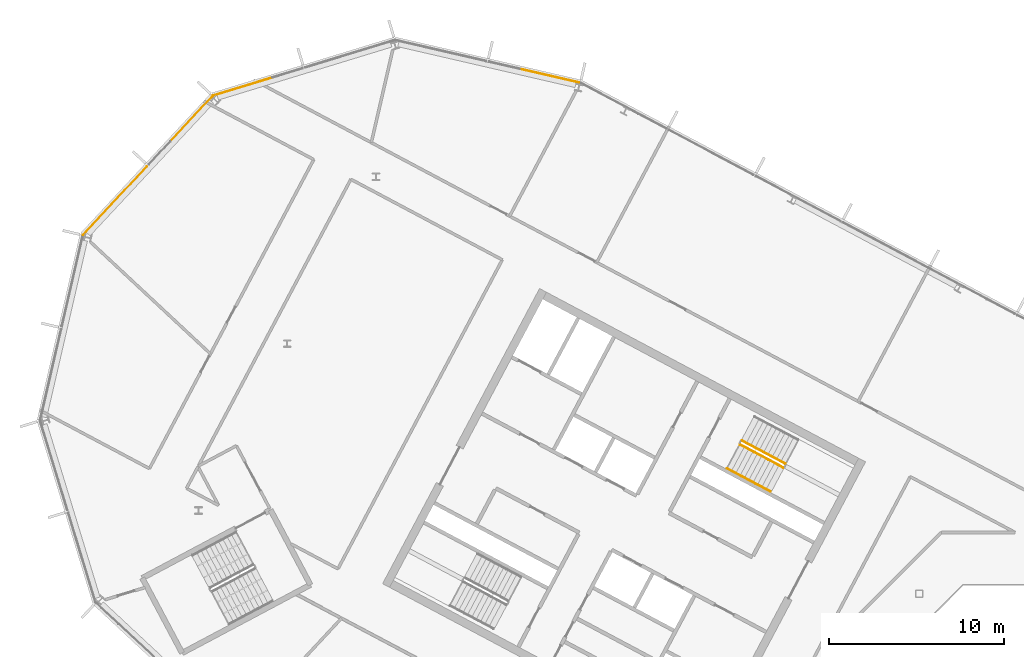
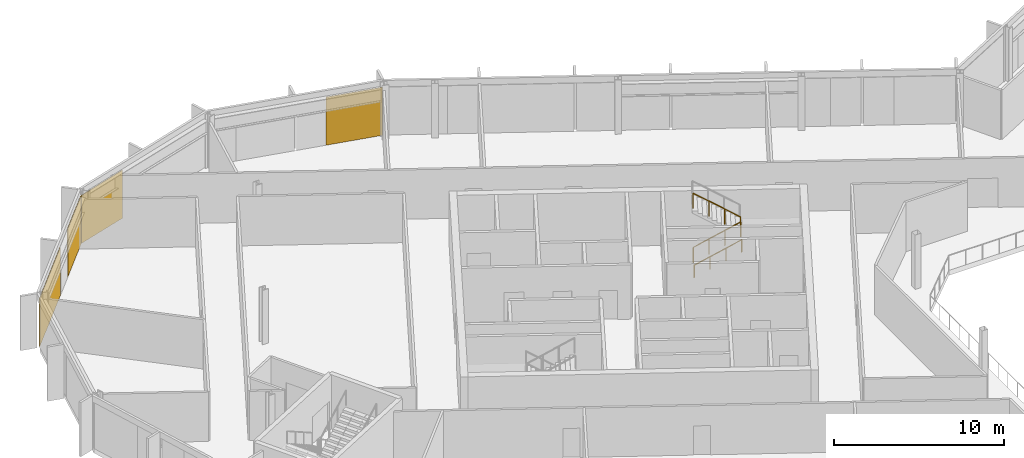
# One storey, part 22 of 26: 4 coverings, 3 railings, 3 elements without a shape of their own.
"""IFC4 building model written with IfcOpenShell, lengths in metres."""

from ifc_helpers import new_model, si_unit, direction, frame, origin, origin_2d, place, context, subcontext, project, spatial, polyline, rectangle, outline, extrude, material, layer, layer_set, type_object, element, aggregate, save


model = new_model("IFC4")

# Units and contexts
model_context = context("Model", 3, precision=1e-05, world=origin(), true_north=direction((0.0, 1.0)))
body_context = subcontext(model_context, "Body", "Model", "MODEL_VIEW")
ifc_project = project(units=[si_unit("LENGTHUNIT", "METRE"), si_unit("AREAUNIT", "SQUARE_METRE"), si_unit("VOLUMEUNIT", "CUBIC_METRE"), si_unit("PLANEANGLEUNIT", "RADIAN"), si_unit("MASSUNIT", "GRAM", prefix="KILO")], contexts=[model_context])

# Site, building, storey
site_placement = place(None, origin())
site = spatial("IfcSite", under=ifc_project, at=site_placement, CompositionType="ELEMENT")
building_placement = place(site_placement, origin())
building = spatial("IfcBuilding", under=site, at=building_placement, Name="Cormorant Relay Tower", CompositionType="ELEMENT")
storey_placement = place(building_placement, frame((0.0, 0.0, 269.699951171875)))
storey = spatial("IfcBuildingStorey", under=building, at=storey_placement, Name="L60", CompositionType="ELEMENT", Elevation=269.699951171875)

# Curtain wall, covering
ifc_material_1 = material(Name="Aluminium 6063-T6 anodised bronze", Category="aluminium")
ifc_layer_1 = layer(ifc_material_1, 0.199951171875)
ifc_layer_set_1 = layer_set([ifc_layer_1], Name="CW1 unitised bronze curtain wall with vertical fins")
curtain_wall_type = type_object("IfcCurtainWallType", Name="CW1 unitised bronze curtain wall with vertical fins", PredefinedType="NOTDEFINED", material=ifc_layer_set_1)
curtain_wall_1_placement = place(storey_placement, origin())
curtain_wall_1 = element("IfcCurtainWall", 1, at=curtain_wall_1_placement, inside=storey, type_object=curtain_wall_type, Name="CW1 curtain wall 10", PredefinedType="NOTDEFINED")
ifc_material_2 = material(Name="Pale bronze anodised aluminium insulated panel", Category="aluminium")
ifc_layer_2 = layer(ifc_material_2, 0.0400390625)
ifc_layer_set_2 = layer_set([ifc_layer_2], Name="CW1 pale bronze insulated panel 40")
covering_type = type_object("IfcCoveringType", Name="CW1 pale bronze insulated panel 40", PredefinedType="CLADDING", material=ifc_layer_set_2)
covering_1_placement = place(storey_placement, frame((-31.640380859375, 40.096435546875, 0.0), z_axis=(0.0, 0.0, 1.0), x_axis=(-0.974370064785, 0.224951054344, 0.0)))
covering_1 = element("IfcCovering", 2, at=covering_1_placement, type_object=covering_type, Name="CW1 panel S00", PredefinedType="CLADDING", context=body_context, shape_type="SweptSolid", body=[
    extrude(rectangle(XDim=3.485107421875, YDim=0.0400390625, at=origin_2d()), origin(), (0.0, 0.0, 1.0), 3.449951171875),
])
aggregate(curtain_wall_1, [covering_1])

curtain_wall_2_placement = place(storey_placement, origin())
curtain_wall_2 = element("IfcCurtainWall", 3, at=curtain_wall_2_placement, inside=storey, type_object=curtain_wall_type, Name="CW1 curtain wall 11", PredefinedType="NOTDEFINED")
covering_2_placement = place(storey_placement, frame((-49.16455078125, 39.474853515625, 0.0), z_axis=(0.0, 0.0, 1.0), x_axis=(-0.956304755963, -0.292371704723, 0.0)))
covering_2 = element("IfcCovering", 4, at=covering_2_placement, type_object=covering_type, Name="CW1 panel S02", PredefinedType="CLADDING", context=body_context, shape_type="SweptSolid", body=[
    extrude(rectangle(XDim=3.560302734375, YDim=0.0400390625, at=origin_2d()), origin(), (0.0, 0.0, 1.0), 3.449951171875),
])
aggregate(curtain_wall_2, [covering_2])

# Curtain wall, coverings
curtain_wall_3_placement = place(storey_placement, origin())
curtain_wall_3 = element("IfcCurtainWall", 5, at=curtain_wall_3_placement, inside=storey, type_object=curtain_wall_type, Name="CW1 curtain wall 12", PredefinedType="NOTDEFINED")
covering_3_placement = place(storey_placement, frame((-52.115234375, 37.61962890625, 0.0), z_axis=(0.0, 0.0, 1.0), x_axis=(-0.681998360062, -0.731353701619, 0.0)))
covering_3 = element("IfcCovering", 6, at=covering_3_placement, type_object=covering_type, Name="CW1 panel S00", PredefinedType="CLADDING", context=body_context, shape_type="SweptSolid", body=[
    extrude(rectangle(XDim=3.485107421875, YDim=0.0400390625, at=origin_2d()), origin(), (0.0, 0.0, 1.0), 3.449951171875),
])
covering_4_placement = place(storey_placement, frame((-56.461181640625, 32.958984375, 0.0), z_axis=(0.0, 0.0, 1.0), x_axis=(-0.681998360062, -0.731353701619, 0.0)))
covering_4 = element("IfcCovering", 7, at=covering_4_placement, type_object=covering_type, Name="CW1 panel S02", PredefinedType="CLADDING", context=body_context, shape_type="SweptSolid", body=[
    extrude(rectangle(XDim=5.360107421875, YDim=0.0400390625, at=origin_2d()), origin(), (0.0, 0.0, 1.0), 3.449951171875),
])
aggregate(curtain_wall_3, [covering_3, covering_4])

# Railings
ifc_material_3 = material(Name="Steel ASTM A572 Grade 50 (Fy 345 MPa)", Category="steel")
railing_type_1 = type_object("IfcRailingType", Name="Stair guard 1100", PredefinedType="GUARDRAIL", material=ifc_material_3)
railing_1_placement = place(storey_placement, frame((-20.75048828125, 19.017822265625, 0.17724609375)))
element("IfcRailing", 8, at=railing_1_placement, inside=storey, type_object=railing_type_1, Name="L60 A1 stair guard 1", PredefinedType="GUARDRAIL", context=body_context, shape_type="SweptSolid", body=[
    extrude(outline(polyline([(0.022216796875, 0.00927734375), (0.00927734375, 0.022216796875), (-0.00927734375, 0.022216796875), (-0.022216796875, 0.00927734375), (-0.022216796875, -0.00927734375), (-0.00927734375, -0.022216796875), (0.00927734375, -0.022216796875), (0.022216796875, -0.00927734375), (0.022216796875, 0.00927734375)])), frame((0.0, 0.0, 1.076171875), z_axis=(0.746001213114, -0.396649272309, 0.534931345884), x_axis=(0.469465464807, 0.882950835185, 0.0)), (0.0, 0.0, 1.0), 3.31396484375),
    extrude(outline(polyline([(0.019287109375, 0.008056640625), (0.008056640625, 0.019287109375), (-0.008056640625, 0.019287109375), (-0.019287109375, 0.008056640625), (-0.019287109375, -0.008056640625), (-0.008056640625, -0.019287109375), (0.008056640625, -0.019287109375), (0.019287109375, -0.008056640625), (0.019287109375, 0.008056640625)])), origin(), (0.0, 0.0, 1.0), 1.052001953125),
    extrude(outline(polyline([(0.019287109375, 0.008056640625), (0.008056640625, 0.019287109375), (-0.008056640625, 0.019287109375), (-0.019287109375, 0.008056640625), (-0.019287109375, -0.008056640625), (-0.008056640625, -0.019287109375), (0.008056640625, -0.019287109375), (0.019287109375, -0.008056640625), (0.019287109375, 0.008056640625)])), frame((0.823974609375, -0.438232421875, 0.5908203125)), (0.0, 0.0, 1.0), 1.052001953125),
    extrude(outline(polyline([(0.019287109375, 0.008056640625), (0.008056640625, 0.019287109375), (-0.008056640625, 0.019287109375), (-0.019287109375, 0.008056640625), (-0.019287109375, -0.008056640625), (-0.008056640625, -0.019287109375), (0.008056640625, -0.019287109375), (0.019287109375, -0.008056640625), (0.019287109375, 0.008056640625)])), frame((1.648193359375, -0.876220703125, 1.181884765625)), (0.0, 0.0, 1.0), 1.052001953125),
    extrude(outline(polyline([(0.019287109375, 0.008056640625), (0.008056640625, 0.019287109375), (-0.008056640625, 0.019287109375), (-0.019287109375, 0.008056640625), (-0.019287109375, -0.008056640625), (-0.008056640625, -0.019287109375), (0.008056640625, -0.019287109375), (0.019287109375, -0.008056640625), (0.019287109375, 0.008056640625)])), frame((2.47216796875, -1.314453125, 1.772705078125)), (0.0, 0.0, 1.0), 1.052001953125),
])
railing_2_placement = place(storey_placement, frame((-18.160888671875, 17.924072265625, 2.12744140625)))
element("IfcRailing", 9, at=railing_2_placement, inside=storey, type_object=railing_type_1, Name="L60 A1 stair guard 3", PredefinedType="GUARDRAIL", context=body_context, shape_type="SweptSolid", body=[
    extrude(outline(polyline([(0.022216796875, 0.00927734375), (0.00927734375, 0.022216796875), (-0.00927734375, 0.022216796875), (-0.022216796875, 0.00927734375), (-0.022216796875, -0.00927734375), (-0.00927734375, -0.022216796875), (0.00927734375, -0.022216796875), (0.022216796875, -0.00927734375), (0.022216796875, 0.00927734375)])), frame((0.0, 0.0, 1.076171875), z_axis=(-0.746033882577, 0.396627473466, 0.534901947407), x_axis=(-0.469429322983, -0.882970050864, 0.0)), (0.0, 0.0, 1.0), 3.31396484375),
    extrude(outline(polyline([(0.019287109375, 0.008056640625), (0.008056640625, 0.019287109375), (-0.008056640625, 0.019287109375), (-0.019287109375, 0.008056640625), (-0.019287109375, -0.008056640625), (-0.008056640625, -0.019287109375), (0.008056640625, -0.019287109375), (0.019287109375, -0.008056640625), (0.019287109375, 0.008056640625)])), origin(), (0.0, 0.0, 1.0), 1.052001953125),
    extrude(outline(polyline([(0.019287109375, 0.008056640625), (0.008056640625, 0.019287109375), (-0.008056640625, 0.019287109375), (-0.019287109375, 0.008056640625), (-0.019287109375, -0.008056640625), (-0.008056640625, -0.019287109375), (0.008056640625, -0.019287109375), (0.019287109375, -0.008056640625), (0.019287109375, 0.008056640625)])), frame((-0.82421875, 0.438232421875, 0.5908203125)), (0.0, 0.0, 1.0), 1.052001953125),
    extrude(outline(polyline([(0.019287109375, 0.008056640625), (0.008056640625, 0.019287109375), (-0.008056640625, 0.019287109375), (-0.019287109375, 0.008056640625), (-0.019287109375, -0.008056640625), (-0.008056640625, -0.019287109375), (0.008056640625, -0.019287109375), (0.019287109375, -0.008056640625), (0.019287109375, 0.008056640625)])), frame((-1.648193359375, 0.876220703125, 1.181884765625)), (0.0, 0.0, 1.0), 1.052001953125),
    extrude(outline(polyline([(0.019287109375, 0.008056640625), (0.008056640625, 0.019287109375), (-0.008056640625, 0.019287109375), (-0.019287109375, 0.008056640625), (-0.019287109375, -0.008056640625), (-0.008056640625, -0.019287109375), (0.008056640625, -0.019287109375), (0.019287109375, -0.008056640625), (0.019287109375, 0.008056640625)])), frame((-2.472412109375, 1.314453125, 1.772705078125)), (0.0, 0.0, 1.0), 1.052001953125),
])
ifc_material_4 = material(Name="Steel ASTM A572 Grade 50 (Fy 345 MPa)", Category="steel")
railing_type_2 = type_object("IfcRailingType", Name="Stair handrail 900", PredefinedType="HANDRAIL", material=ifc_material_4)
railing_3_placement = place(storey_placement, frame((-21.478271484375, 17.6494140625, 0.17724609375)))
element("IfcRailing", 10, at=railing_3_placement, inside=storey, type_object=railing_type_2, Name="L60 A1 stair handrail 1", PredefinedType="HANDRAIL", context=body_context, shape_type="SweptSolid", body=[
    extrude(outline(polyline([(0.022216796875, 0.00927734375), (0.00927734375, 0.022216796875), (-0.00927734375, 0.022216796875), (-0.022216796875, 0.00927734375), (-0.022216796875, -0.00927734375), (-0.00927734375, -0.022216796875), (0.00927734375, -0.022216796875), (0.022216796875, -0.00927734375), (0.022216796875, 0.00927734375)])), frame((0.0, 0.0, 0.8759765625), z_axis=(0.746012083385, -0.396689549623, 0.534886317514), x_axis=(0.469497295046, 0.882933910293, 0.0)), (0.0, 0.0, 1.0), 3.314208984375),
    extrude(outline(polyline([(0.019287109375, 0.008056640625), (0.008056640625, 0.019287109375), (-0.008056640625, 0.019287109375), (-0.019287109375, 0.008056640625), (-0.019287109375, -0.008056640625), (-0.008056640625, -0.019287109375), (0.008056640625, -0.019287109375), (0.019287109375, -0.008056640625), (0.019287109375, 0.008056640625)])), origin(), (0.0, 0.0, 1.0), 0.851806640625),
    extrude(outline(polyline([(0.019287109375, 0.008056640625), (0.008056640625, 0.019287109375), (-0.008056640625, 0.019287109375), (-0.019287109375, 0.008056640625), (-0.019287109375, -0.008056640625), (-0.008056640625, -0.019287109375), (0.008056640625, -0.019287109375), (0.019287109375, -0.008056640625), (0.019287109375, 0.008056640625)])), frame((0.82421875, -0.438232421875, 0.5908203125)), (0.0, 0.0, 1.0), 0.851806640625),
    extrude(outline(polyline([(0.019287109375, 0.008056640625), (0.008056640625, 0.019287109375), (-0.008056640625, 0.019287109375), (-0.019287109375, 0.008056640625), (-0.019287109375, -0.008056640625), (-0.008056640625, -0.019287109375), (0.008056640625, -0.019287109375), (0.019287109375, -0.008056640625), (0.019287109375, 0.008056640625)])), frame((1.648193359375, -0.87646484375, 1.181884765625)), (0.0, 0.0, 1.0), 0.851806640625),
    extrude(outline(polyline([(0.019287109375, 0.008056640625), (0.008056640625, 0.019287109375), (-0.008056640625, 0.019287109375), (-0.019287109375, 0.008056640625), (-0.019287109375, -0.008056640625), (-0.008056640625, -0.019287109375), (0.008056640625, -0.019287109375), (0.019287109375, -0.008056640625), (0.019287109375, 0.008056640625)])), frame((2.472412109375, -1.314697265625, 1.772705078125)), (0.0, 0.0, 1.0), 0.851806640625),
])

save(model, "model.ifc")
